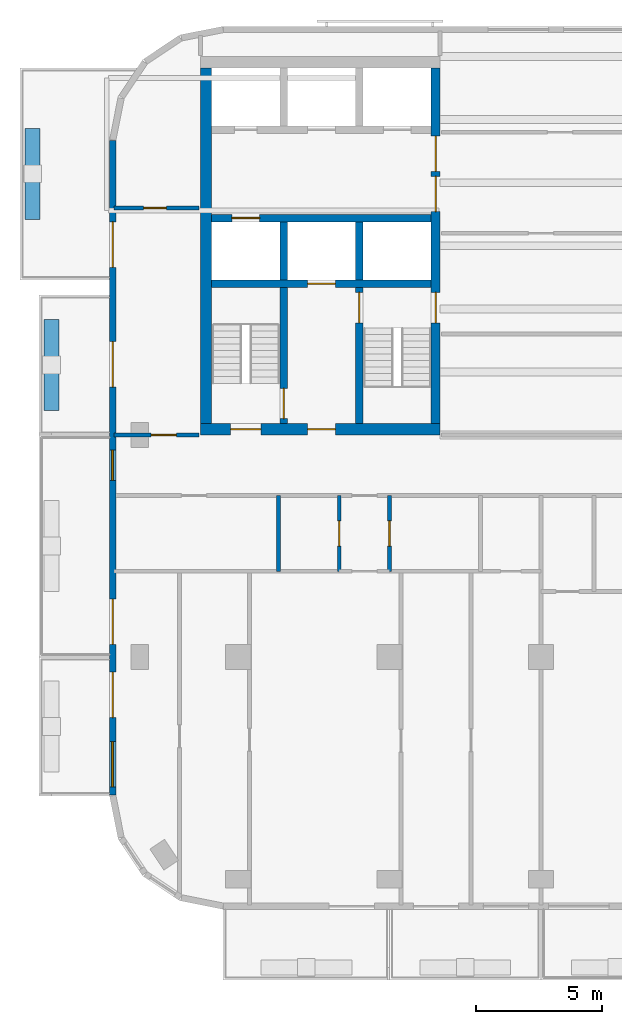
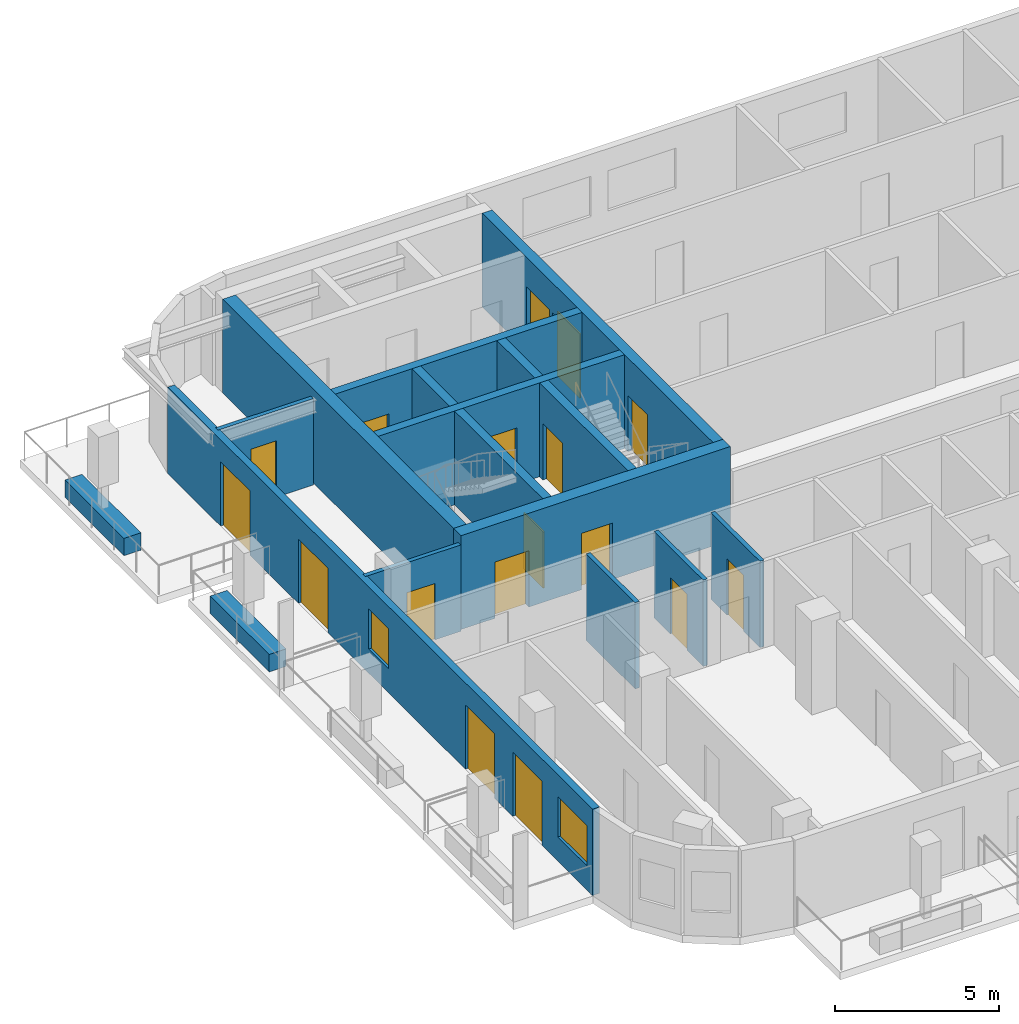
# One storey, part 3 of 11: 17 doors, 17 walls, 2 windows, 19 openings.
"""IFC4 building model written with IfcOpenShell, lengths in metres."""

from ifc_helpers import new_model, si_unit, direction, frame, frame_2d, origin, place, context, subcontext, project, spatial, rectangle, extrude, material, layer, layer_set, type_object, element, fill, save


model = new_model("IFC4")

# Units and contexts
model_context = context("Model", 3, precision=1e-05, world=origin(), true_north=direction((0.0, 1.0)))
body_context = subcontext(model_context, "Body", "Model", "MODEL_VIEW")
ifc_project = project(units=[si_unit("LENGTHUNIT", "METRE"), si_unit("AREAUNIT", "SQUARE_METRE"), si_unit("VOLUMEUNIT", "CUBIC_METRE"), si_unit("PLANEANGLEUNIT", "RADIAN"), si_unit("MASSUNIT", "GRAM", prefix="KILO")], contexts=[model_context])

# Site, building, storey
site_placement = place(None, origin())
site = spatial("IfcSite", under=ifc_project, at=site_placement, CompositionType="ELEMENT")
building_placement = place(site_placement, origin())
building = spatial("IfcBuilding", under=site, at=building_placement, Name="Torana Hotel and Residences", CompositionType="ELEMENT")
storey_placement = place(building_placement, frame((0.0, 0.0, 277.10009765625)))
storey = spatial("IfcBuildingStorey", under=building, at=storey_placement, Name="L73", CompositionType="ELEMENT", Elevation=277.10009765625)

# Wall, opening, door
ifc_material_1 = material(Name="Concrete C60/75", Category="concrete")
ifc_layer_1 = layer(ifc_material_1, 0.300048828125)
ifc_layer_set_1 = layer_set([ifc_layer_1], Name="CORE WALL 300 C60/75")
wall_type_1 = type_object("IfcWallType", Name="CORE WALL 300 C60/75", PredefinedType="SHEAR", material=ifc_layer_set_1)
wall_1_placement = place(storey_placement, frame((-19.050048828125, -6.39990234375, 0.0), z_axis=(0.0, 0.0, 1.0), x_axis=(1.0, 0.0, 0.0)))
wall_1 = element("IfcWall", 1, at=wall_1_placement, inside=storey, type_object=wall_type_1, Name="Core wall W row-S", PredefinedType="SHEAR", context=body_context, shape_type="SweptSolid", body=[
    extrude(rectangle(XDim=8.699951171875, YDim=0.300048828125, at=frame_2d((4.35009765625, 0.0))), origin(), (0.0, 0.0, 1.0), 3.5),
])
opening_1_placement = place(wall_1_placement, frame((0.800048828125, 0.0, 0.0)))
opening_1 = element("IfcOpeningElement", 2, at=opening_1_placement, cuts=wall_1, Name="Opening LD", PredefinedType="OPENING", context=body_context, shape_type="SweptSolid", body=[
    extrude(rectangle(XDim=1.10009765625, YDim=2.10009765625, at=frame_2d((0.550048828125, 1.050048828125))), frame((0.0, 0.159912109375, 0.0), z_axis=(0.0, -1.0, 0.0), x_axis=(1.0, 0.0, 0.0)), (0.0, 0.0, 1.0), 0.320068359375),
])
ifc_material_2 = material(Name="Stainless steel 316", Category="steel")
door_type_1 = type_object("IfcDoorType", Name="LIFT LANDING DOOR LD 1100x2100", OperationType="DOUBLE_DOOR_SLIDING", PredefinedType="USERDEFINED", material=ifc_material_2)
door_1_placement = place(opening_1_placement, origin())
door_1 = element("IfcDoor", 3, at=door_1_placement, inside=storey, type_object=door_type_1, Name="Lift landing door SV1 L73", ObjectType="LIFT LANDING DOOR", OperationType="DOUBLE_DOOR_SLIDING", OverallHeight=2.10009765625, OverallWidth=1.10009765625, PredefinedType="USERDEFINED", context=body_context, shape_type="SweptSolid", body=[
    extrude(rectangle(XDim=1.10009765625, YDim=2.10009765625, at=frame_2d((0.550048828125, 1.050048828125))), frame((0.0, 0.02490234375, 0.0), z_axis=(0.0, -1.0, 0.0), x_axis=(1.0, 0.0, 0.0)), (0.0, 0.0, 1.0), 0.050048828125),
])
fill(opening_1, door_1)

wall_2_placement = place(storey_placement, frame((-19.050048828125, -9.0, 0.0), z_axis=(0.0, 0.0, 1.0), x_axis=(1.0, 0.0, 0.0)))
wall_2 = element("IfcWall", 4, at=wall_2_placement, inside=storey, type_object=wall_type_1, Name="Core wall W band", PredefinedType="SHEAR", context=body_context, shape_type="SweptSolid", body=[
    extrude(rectangle(XDim=8.699951171875, YDim=0.300048828125, at=frame_2d((4.35009765625, 0.0))), origin(), (0.0, 0.0, 1.0), 3.5),
])
opening_2_placement = place(wall_2_placement, frame((3.800048828125, 0.0, 0.0)))
opening_2 = element("IfcOpeningElement", 5, at=opening_2_placement, cuts=wall_2, Name="Opening LD", PredefinedType="OPENING", context=body_context, shape_type="SweptSolid", body=[
    extrude(rectangle(XDim=1.10009765625, YDim=2.10009765625, at=frame_2d((0.550048828125, 1.050048828125))), frame((0.0, 0.159912109375, 0.0), z_axis=(0.0, -1.0, 0.0), x_axis=(1.0, 0.0, 0.0)), (0.0, 0.0, 1.0), 0.320068359375),
])
door_2_placement = place(opening_2_placement, origin())
door_2 = element("IfcDoor", 6, at=door_2_placement, inside=storey, type_object=door_type_1, Name="Lift landing door FF1 L73", ObjectType="LIFT LANDING DOOR", OperationType="DOUBLE_DOOR_SLIDING", OverallHeight=2.10009765625, OverallWidth=1.10009765625, PredefinedType="USERDEFINED", context=body_context, shape_type="SweptSolid", body=[
    extrude(rectangle(XDim=1.10009765625, YDim=2.10009765625, at=frame_2d((0.550048828125, 1.050048828125))), frame((0.0, 0.02490234375, 0.0), z_axis=(0.0, -1.0, 0.0), x_axis=(1.0, 0.0, 0.0)), (0.0, 0.0, 1.0), 0.050048828125),
])
fill(opening_2, door_2)

# Wall
wall_3_placement = place(storey_placement, frame((-13.199951171875, -8.85009765625, 0.0), z_axis=(0.0, 0.0, 1.0), x_axis=(0.0, 1.0, 0.0)))
element("IfcWall", 7, at=wall_3_placement, inside=storey, type_object=wall_type_1, Name="Core wall W x3.05-S", PredefinedType="SHEAR", context=body_context, shape_type="SweptSolid", body=[
    extrude(rectangle(XDim=2.300048828125, YDim=0.300048828125, at=frame_2d((1.14990234375, 0.0))), origin(), (0.0, 0.0, 1.0), 3.5),
])

# Wall, opening, door
wall_4_placement = place(storey_placement, frame((-13.199951171875, -14.550048828125, 0.0), z_axis=(0.0, 0.0, 1.0), x_axis=(0.0, 1.0, 0.0)))
wall_4 = element("IfcWall", 8, at=wall_4_placement, inside=storey, type_object=wall_type_1, Name="Core wall W x3.05-band", PredefinedType="SHEAR", context=body_context, shape_type="SweptSolid", body=[
    extrude(rectangle(XDim=5.400146484375, YDim=0.300048828125, at=frame_2d((2.7001953125, 0.0))), origin(), (0.0, 0.0, 1.0), 3.5),
])
opening_3_placement = place(wall_4_placement, frame((4.0, 0.0, 0.0)))
opening_3 = element("IfcOpeningElement", 9, at=opening_3_placement, cuts=wall_4, Name="Opening L73-07", PredefinedType="OPENING", context=body_context, shape_type="SweptSolid", body=[
    extrude(rectangle(XDim=1.199951171875, YDim=2.10009765625, at=frame_2d((0.60009765625, 1.050048828125))), frame((0.0, 0.159912109375, 0.0), z_axis=(0.0, -1.0, 0.0), x_axis=(1.0, 0.0, 0.0)), (0.0, 0.0, 1.0), 0.320068359375),
])
ifc_material_3 = material(Name="Steel S235", Category="steel")
door_type_2 = type_object("IfcDoorType", Name="STAIR FIRE DOOR D3 1200x2100", OperationType="SINGLE_SWING_LEFT", PredefinedType="DOOR", material=ifc_material_3)
door_3_placement = place(opening_3_placement, frame((0.60009765625, 0.0, 0.0), z_axis=(0.0, 0.0, 1.0), x_axis=(-1.0, 0.0, 0.0)))
door_3 = element("IfcDoor", 10, at=door_3_placement, inside=storey, type_object=door_type_2, Name="Stair-A-lobby door L73", OperationType="SINGLE_SWING_RIGHT", OverallHeight=2.10009765625, OverallWidth=1.199951171875, PredefinedType="DOOR", context=body_context, shape_type="SweptSolid", body=[
    extrude(rectangle(XDim=1.199951171875, YDim=2.10009765625, at=frame_2d((0.0, 1.050048828125))), frame((0.0, -0.02490234375, 0.0), z_axis=(0.0, 1.0, 0.0), x_axis=(-1.0, 0.0, 0.0)), (0.0, 0.0, 1.0), 0.050048828125),
])
fill(opening_3, door_3)

# Wall
wall_5_placement = place(storey_placement, frame((-16.199951171875, -8.85009765625, 0.0), z_axis=(0.0, 0.0, 1.0), x_axis=(0.0, 1.0, 0.0)))
element("IfcWall", 11, at=wall_5_placement, inside=storey, type_object=wall_type_1, Name="Core wall W x6.05-S", PredefinedType="SHEAR", context=body_context, shape_type="SweptSolid", body=[
    extrude(rectangle(XDim=2.300048828125, YDim=0.300048828125, at=frame_2d((1.14990234375, 0.0))), origin(), (0.0, 0.0, 1.0), 3.5),
])

# Wall, opening, door
wall_6_placement = place(storey_placement, frame((-16.199951171875, -14.550048828125, 0.0), z_axis=(0.0, 0.0, 1.0), x_axis=(0.0, 1.0, 0.0)))
wall_6 = element("IfcWall", 12, at=wall_6_placement, inside=storey, type_object=wall_type_1, Name="Core wall W x6.05-band", PredefinedType="SHEAR", context=body_context, shape_type="SweptSolid", body=[
    extrude(rectangle(XDim=5.400146484375, YDim=0.300048828125, at=frame_2d((2.7001953125, 0.0))), origin(), (0.0, 0.0, 1.0), 3.5),
])
opening_4_placement = place(wall_6_placement, frame((0.199951171875, 0.0, 0.0)))
opening_4 = element("IfcOpeningElement", 13, at=opening_4_placement, cuts=wall_6, Name="Opening L73-08", PredefinedType="OPENING", context=body_context, shape_type="SweptSolid", body=[
    extrude(rectangle(XDim=1.199951171875, YDim=2.10009765625, at=frame_2d((0.60009765625, 1.050048828125))), frame((0.0, 0.159912109375, 0.0), z_axis=(0.0, -1.0, 0.0), x_axis=(1.0, 0.0, 0.0)), (0.0, 0.0, 1.0), 0.320068359375),
])
door_4_placement = place(opening_4_placement, origin())
door_4 = element("IfcDoor", 14, at=door_4_placement, inside=storey, type_object=door_type_2, Name="Stair-B-lobby door L73", OperationType="SINGLE_SWING_RIGHT", OverallHeight=2.10009765625, OverallWidth=1.199951171875, PredefinedType="DOOR", context=body_context, shape_type="SweptSolid", body=[
    extrude(rectangle(XDim=1.199951171875, YDim=2.10009765625, at=frame_2d((0.60009765625, 1.050048828125))), frame((0.0, 0.02490234375, 0.0), z_axis=(0.0, -1.0, 0.0), x_axis=(1.0, 0.0, 0.0)), (0.0, 0.0, 1.0), 0.050048828125),
])
fill(opening_4, door_4)

# Wall, openings, doors
ifc_material_4 = material(Name="Concrete C60/75", Category="concrete")
ifc_layer_2 = layer(ifc_material_4, 0.35009765625)
ifc_layer_set_2 = layer_set([ifc_layer_2], Name="CORE WALL 350 C60/75")
wall_type_2 = type_object("IfcWallType", Name="CORE WALL 350 C60/75", PredefinedType="SHEAR", material=ifc_layer_set_2)
wall_7_placement = place(storey_placement, frame((-10.175048828125, -14.550048828125, 0.0), z_axis=(0.0, 0.0, 1.0), x_axis=(0.0, 1.0, 0.0)))
wall_7 = element("IfcWall", 15, at=wall_7_placement, inside=storey, type_object=wall_type_2, Name="Core wall W arch", PredefinedType="SHEAR", context=body_context, shape_type="SweptSolid", body=[
    extrude(rectangle(XDim=14.10009765625, YDim=0.35009765625, at=frame_2d((7.050048828125, 0.0))), origin(), (0.0, 0.0, 1.0), 3.5),
])
opening_5_placement = place(wall_7_placement, frame((8.39990234375, 0.0, 0.0)))
opening_5 = element("IfcOpeningElement", 16, at=opening_5_placement, cuts=wall_7, Name="Opening L73-01", PredefinedType="OPENING", context=body_context, shape_type="SweptSolid", body=[
    extrude(rectangle(XDim=1.39990234375, YDim=2.39990234375, at=frame_2d((0.699951171875, 1.199951171875))), frame((0.0, 0.18505859375, 0.0), z_axis=(0.0, -1.0, 0.0), x_axis=(1.0, 0.0, 0.0)), (0.0, 0.0, 1.0), 0.3701171875),
])
opening_6_placement = place(wall_7_placement, frame((10.0, 0.0, 0.0)))
opening_6 = element("IfcOpeningElement", 17, at=opening_6_placement, cuts=wall_7, Name="Opening L73-02", PredefinedType="OPENING", context=body_context, shape_type="SweptSolid", body=[
    extrude(rectangle(XDim=1.39990234375, YDim=2.39990234375, at=frame_2d((0.699951171875, 1.199951171875))), frame((0.0, 0.18505859375, 0.0), z_axis=(0.0, -1.0, 0.0), x_axis=(1.0, 0.0, 0.0)), (0.0, 0.0, 1.0), 0.3701171875),
])
opening_7_placement = place(wall_7_placement, frame((4.0, 0.0, 0.0)))
opening_7 = element("IfcOpeningElement", 18, at=opening_7_placement, cuts=wall_7, Name="Opening L73-03", PredefinedType="OPENING", context=body_context, shape_type="SweptSolid", body=[
    extrude(rectangle(XDim=1.199951171875, YDim=2.10009765625, at=frame_2d((0.60009765625, 1.050048828125))), frame((0.0, 0.18505859375, 0.0), z_axis=(0.0, -1.0, 0.0), x_axis=(1.0, 0.0, 0.0)), (0.0, 0.0, 1.0), 0.3701171875),
])
ifc_material_5 = material(Name="Steel S235", Category="steel")
door_type_3 = type_object("IfcDoorType", Name="LOBBY FIRE DOOR D4 1400x2400", OperationType="DOUBLE_DOOR_SINGLE_SWING", PredefinedType="DOOR", material=ifc_material_5)
door_5_placement = place(opening_5_placement, origin())
door_5 = element("IfcDoor", 19, at=door_5_placement, inside=storey, type_object=door_type_3, Name="Lobby-1 door L73", OperationType="DOUBLE_DOOR_SINGLE_SWING", OverallHeight=2.39990234375, OverallWidth=1.39990234375, PredefinedType="DOOR", context=body_context, shape_type="SweptSolid", body=[
    extrude(rectangle(XDim=1.39990234375, YDim=2.39990234375, at=frame_2d((0.699951171875, 1.199951171875))), frame((0.0, 0.02490234375, 0.0), z_axis=(0.0, -1.0, 0.0), x_axis=(1.0, 0.0, 0.0)), (0.0, 0.0, 1.0), 0.050048828125),
])
fill(opening_5, door_5)
door_6_placement = place(opening_6_placement, origin())
door_6 = element("IfcDoor", 20, at=door_6_placement, inside=storey, type_object=door_type_3, Name="Lobby-2 door L73", OperationType="DOUBLE_DOOR_SINGLE_SWING", OverallHeight=2.39990234375, OverallWidth=1.39990234375, PredefinedType="DOOR", context=body_context, shape_type="SweptSolid", body=[
    extrude(rectangle(XDim=1.39990234375, YDim=2.39990234375, at=frame_2d((0.699951171875, 1.199951171875))), frame((0.0, 0.02490234375, 0.0), z_axis=(0.0, -1.0, 0.0), x_axis=(1.0, 0.0, 0.0)), (0.0, 0.0, 1.0), 0.050048828125),
])
fill(opening_6, door_6)
door_7_placement = place(opening_7_placement, origin())
door_7 = element("IfcDoor", 21, at=door_7_placement, inside=storey, type_object=door_type_2, Name="Stair-A door L73", OperationType="SINGLE_SWING_LEFT", OverallHeight=2.10009765625, OverallWidth=1.199951171875, PredefinedType="DOOR", context=body_context, shape_type="SweptSolid", body=[
    extrude(rectangle(XDim=1.199951171875, YDim=2.10009765625, at=frame_2d((0.60009765625, 1.050048828125))), frame((0.0, 0.02490234375, 0.0), z_axis=(0.0, -1.0, 0.0), x_axis=(1.0, 0.0, 0.0)), (0.0, 0.0, 1.0), 0.050048828125),
])
fill(opening_7, door_7)

ifc_material_6 = material(Name="Concrete C60/75", Category="concrete")
ifc_layer_3 = layer(ifc_material_6, 0.449951171875)
ifc_layer_set_3 = layer_set([ifc_layer_3], Name="CORE WALL 450 C60/75")
wall_type_3 = type_object("IfcWallType", Name="CORE WALL 450 C60/75", PredefinedType="SHEAR", material=ifc_layer_set_3)
wall_8_placement = place(storey_placement, frame((-19.5, -14.77490234375, 0.0), z_axis=(0.0, 0.0, 1.0), x_axis=(1.0, 0.0, 0.0)))
wall_8 = element("IfcWall", 22, at=wall_8_placement, inside=storey, type_object=wall_type_3, Name="Core wall W front", PredefinedType="SHEAR", context=body_context, shape_type="SweptSolid", body=[
    extrude(rectangle(XDim=9.5, YDim=0.449951171875, at=frame_2d((4.75, 0.0))), origin(), (0.0, 0.0, 1.0), 3.5),
])
opening_8_placement = place(wall_8_placement, frame((1.199951171875, 0.0, 0.0)))
opening_8 = element("IfcOpeningElement", 23, at=opening_8_placement, cuts=wall_8, Name="Opening L73-04", PredefinedType="OPENING", context=body_context, shape_type="SweptSolid", body=[
    extrude(rectangle(XDim=1.199951171875, YDim=2.10009765625, at=frame_2d((0.60009765625, 1.050048828125))), frame((0.0, 0.23486328125, 0.0), z_axis=(0.0, -1.0, 0.0), x_axis=(1.0, 0.0, 0.0)), (0.0, 0.0, 1.0), 0.469970703125),
])
opening_9_placement = place(wall_8_placement, frame((4.25, 0.0, 0.0)))
opening_9 = element("IfcOpeningElement", 24, at=opening_9_placement, cuts=wall_8, Name="Opening L73-05", PredefinedType="OPENING", context=body_context, shape_type="SweptSolid", body=[
    extrude(rectangle(XDim=1.10009765625, YDim=2.10009765625, at=frame_2d((0.550048828125, 1.050048828125))), frame((0.0, 0.23486328125, 0.0), z_axis=(0.0, -1.0, 0.0), x_axis=(1.0, 0.0, 0.0)), (0.0, 0.0, 1.0), 0.469970703125),
])
ifc_material_7 = material(Name="Steel S235", Category="steel")
door_type_4 = type_object("IfcDoorType", Name="FIRE-FIGHTING LOBBY DOOR D8 1100x2100", OperationType="SINGLE_SWING_LEFT", PredefinedType="DOOR", material=ifc_material_7)
door_8_placement = place(opening_9_placement, origin())
door_8 = element("IfcDoor", 25, at=door_8_placement, inside=storey, type_object=door_type_4, Name="FF-lobby door L73", OperationType="SINGLE_SWING_RIGHT", OverallHeight=2.10009765625, OverallWidth=1.10009765625, PredefinedType="DOOR", context=body_context, shape_type="SweptSolid", body=[
    extrude(rectangle(XDim=1.10009765625, YDim=2.10009765625, at=frame_2d((0.550048828125, 1.050048828125))), frame((0.0, 0.02490234375, 0.0), z_axis=(0.0, -1.0, 0.0), x_axis=(1.0, 0.0, 0.0)), (0.0, 0.0, 1.0), 0.050048828125),
])
fill(opening_9, door_8)
door_9_placement = place(opening_8_placement, origin())
door_9 = element("IfcDoor", 26, at=door_9_placement, inside=storey, type_object=door_type_2, Name="Stair-B door L73", OperationType="SINGLE_SWING_RIGHT", OverallHeight=2.10009765625, OverallWidth=1.199951171875, PredefinedType="DOOR", context=body_context, shape_type="SweptSolid", body=[
    extrude(rectangle(XDim=1.199951171875, YDim=2.10009765625, at=frame_2d((0.60009765625, 1.050048828125))), frame((0.0, 0.02490234375, 0.0), z_axis=(0.0, -1.0, 0.0), x_axis=(1.0, 0.0, 0.0)), (0.0, 0.0, 1.0), 0.050048828125),
])
fill(opening_8, door_9)

# Wall
wall_9_placement = place(storey_placement, frame((-19.27490234375, -14.550048828125, 0.0), z_axis=(0.0, 0.0, 1.0), x_axis=(0.0, 1.0, 0.0)))
element("IfcWall", 27, at=wall_9_placement, inside=storey, type_object=wall_type_3, Name="Core wall W outer", PredefinedType="SHEAR", context=body_context, shape_type="SweptSolid", body=[
    extrude(rectangle(XDim=14.10009765625, YDim=0.449951171875, at=frame_2d((7.050048828125, 0.0))), origin(), (0.0, 0.0, 1.0), 3.5),
])

# Wall, openings, doors, windows
ifc_material_8 = material(Name="Black aluminium composite panel", Category="aluminium")
ifc_layer_4 = layer(ifc_material_8, 0.00390625, Name="Cladding", Category="cladding")
ifc_material_9 = material(Name="Ventilated air cavity")
ifc_layer_5 = layer(ifc_material_9, 0.0400390625, Name="Ventilated cavity", Category="cavity")
ifc_material_10 = material(Name="Mineral wool insulation")
ifc_layer_6 = layer(ifc_material_10, 0.090087890625, Name="Insulation", Category="insulation")
ifc_material_11 = material(Name="Steel S280GD", Category="steel")
ifc_layer_7 = layer(ifc_material_11, 0.092041015625, Name="Steel stud frame", Category="structure")
ifc_material_12 = material(Name="Fire rated plasterboard")
ifc_layer_8 = layer(ifc_material_12, 0.011962890625, Name="Inner board", Category="finish")
ifc_layer_9 = layer(ifc_material_12, 0.011962890625, Name="Second board", Category="finish")
ifc_layer_set_4 = layer_set([ifc_layer_4, ifc_layer_5, ifc_layer_6, ifc_layer_7, ifc_layer_8, ifc_layer_9], Name="EW1 EXTERNAL WALL BLACK METAL CLAD 250")
wall_type_4 = type_object("IfcWallType", Name="EW1 EXTERNAL WALL BLACK METAL CLAD 250", PredefinedType="SOLIDWALL", material=ifc_layer_set_4)
wall_10_placement = place(storey_placement, frame((-22.97509765625, -3.32470703125, 0.0), z_axis=(0.0, 0.0, 1.0), x_axis=(0.0, -1.0, 0.0)))
wall_10 = element("IfcWall", 28, at=wall_10_placement, inside=storey, type_object=wall_type_4, Name="External wall L73 e0.9", PredefinedType="SOLIDWALL", context=body_context, shape_type="SweptSolid", body=[
    extrude(rectangle(XDim=25.95068359375, YDim=0.25, at=frame_2d((12.975341796875, 0.0))), origin(), (0.0, 0.0, 1.0), 3.219970703125),
])
opening_10_placement = place(wall_10_placement, frame((3.225341796875, 0.0, 0.0)))
opening_10 = element("IfcOpeningElement", 29, at=opening_10_placement, cuts=wall_10, Name="Opening L73-E11", PredefinedType="OPENING", context=body_context, shape_type="SweptSolid", body=[
    extrude(rectangle(XDim=1.800048828125, YDim=2.39990234375, at=frame_2d((0.89990234375, 1.199951171875))), frame((0.0, 0.135009765625, 0.0), z_axis=(0.0, -1.0, 0.0), x_axis=(1.0, 0.0, 0.0)), (0.0, 0.0, 1.0), 0.27001953125),
])
opening_11_placement = place(wall_10_placement, frame((7.975341796875, 0.0, 0.0)))
opening_11 = element("IfcOpeningElement", 30, at=opening_11_placement, cuts=wall_10, Name="Opening L73-E12", PredefinedType="OPENING", context=body_context, shape_type="SweptSolid", body=[
    extrude(rectangle(XDim=1.800048828125, YDim=2.39990234375, at=frame_2d((0.89990234375, 1.199951171875))), frame((0.0, 0.135009765625, 0.0), z_axis=(0.0, -1.0, 0.0), x_axis=(1.0, 0.0, 0.0)), (0.0, 0.0, 1.0), 0.27001953125),
])
opening_12_placement = place(wall_10_placement, frame((12.275390625, 0.0, 0.89990234375)))
opening_12 = element("IfcOpeningElement", 31, at=opening_12_placement, cuts=wall_10, Name="Opening W5", PredefinedType="OPENING", context=body_context, shape_type="SweptSolid", body=[
    extrude(rectangle(XDim=1.199951171875, YDim=1.5, at=frame_2d((0.60009765625, 0.75))), frame((0.0, 0.135009765625, 0.0), z_axis=(0.0, -1.0, 0.0), x_axis=(1.0, 0.0, 0.0)), (0.0, 0.0, 1.0), 0.27001953125),
])
opening_13_placement = place(wall_10_placement, frame((18.17529296875, 0.0, 0.0)))
opening_13 = element("IfcOpeningElement", 32, at=opening_13_placement, cuts=wall_10, Name="Opening L73-E13", PredefinedType="OPENING", context=body_context, shape_type="SweptSolid", body=[
    extrude(rectangle(XDim=1.800048828125, YDim=2.39990234375, at=frame_2d((0.89990234375, 1.199951171875))), frame((0.0, 0.135009765625, 0.0), z_axis=(0.0, -1.0, 0.0), x_axis=(1.0, 0.0, 0.0)), (0.0, 0.0, 1.0), 0.27001953125),
])
opening_14_placement = place(wall_10_placement, frame((21.075439453125, 0.0, 0.0)))
opening_14 = element("IfcOpeningElement", 33, at=opening_14_placement, cuts=wall_10, Name="Opening L73-E14", PredefinedType="OPENING", context=body_context, shape_type="SweptSolid", body=[
    extrude(rectangle(XDim=1.800048828125, YDim=2.39990234375, at=frame_2d((0.89990234375, 1.199951171875))), frame((0.0, 0.135009765625, 0.0), z_axis=(0.0, -1.0, 0.0), x_axis=(1.0, 0.0, 0.0)), (0.0, 0.0, 1.0), 0.27001953125),
])
opening_15_placement = place(wall_10_placement, frame((23.825439453125, 0.0, 0.89990234375)))
opening_15 = element("IfcOpeningElement", 34, at=opening_15_placement, cuts=wall_10, Name="Opening W4", PredefinedType="OPENING", context=body_context, shape_type="SweptSolid", body=[
    extrude(rectangle(XDim=1.800048828125, YDim=1.5, at=frame_2d((0.89990234375, 0.75))), frame((0.0, 0.135009765625, 0.0), z_axis=(0.0, -1.0, 0.0), x_axis=(1.0, 0.0, 0.0)), (0.0, 0.0, 1.0), 0.27001953125),
])
ifc_material_13 = material(Name="Dark glass in black aluminium frame", Category="aluminium")
door_type_5 = type_object("IfcDoorType", Name="DB1 BALCONY DOOR 1800x2400", OperationType="DOUBLE_DOOR_SINGLE_SWING", PredefinedType="DOOR", material=ifc_material_13)
door_10_placement = place(opening_10_placement, origin())
door_10 = element("IfcDoor", 35, at=door_10_placement, inside=storey, type_object=door_type_5, Name="Balcony door L73", OperationType="DOUBLE_DOOR_SINGLE_SWING", OverallHeight=2.39990234375, OverallWidth=1.800048828125, PredefinedType="DOOR", context=body_context, shape_type="SweptSolid", body=[
    extrude(rectangle(XDim=1.800048828125, YDim=2.39990234375, at=frame_2d((0.89990234375, 1.199951171875))), frame((0.0, 0.02490234375, 0.0), z_axis=(0.0, -1.0, 0.0), x_axis=(1.0, 0.0, 0.0)), (0.0, 0.0, 1.0), 0.050048828125),
])
fill(opening_10, door_10)
door_11_placement = place(opening_11_placement, origin())
door_11 = element("IfcDoor", 36, at=door_11_placement, inside=storey, type_object=door_type_5, Name="Balcony door L73", OperationType="DOUBLE_DOOR_SINGLE_SWING", OverallHeight=2.39990234375, OverallWidth=1.800048828125, PredefinedType="DOOR", context=body_context, shape_type="SweptSolid", body=[
    extrude(rectangle(XDim=1.800048828125, YDim=2.39990234375, at=frame_2d((0.89990234375, 1.199951171875))), frame((0.0, 0.02490234375, 0.0), z_axis=(0.0, -1.0, 0.0), x_axis=(1.0, 0.0, 0.0)), (0.0, 0.0, 1.0), 0.050048828125),
])
fill(opening_11, door_11)
door_12_placement = place(opening_13_placement, origin())
door_12 = element("IfcDoor", 37, at=door_12_placement, inside=storey, type_object=door_type_5, Name="Balcony door L73", OperationType="DOUBLE_DOOR_SINGLE_SWING", OverallHeight=2.39990234375, OverallWidth=1.800048828125, PredefinedType="DOOR", context=body_context, shape_type="SweptSolid", body=[
    extrude(rectangle(XDim=1.800048828125, YDim=2.39990234375, at=frame_2d((0.89990234375, 1.199951171875))), frame((0.0, 0.02490234375, 0.0), z_axis=(0.0, -1.0, 0.0), x_axis=(1.0, 0.0, 0.0)), (0.0, 0.0, 1.0), 0.050048828125),
])
fill(opening_13, door_12)
door_13_placement = place(opening_14_placement, origin())
door_13 = element("IfcDoor", 38, at=door_13_placement, inside=storey, type_object=door_type_5, Name="Balcony door L73", OperationType="DOUBLE_DOOR_SINGLE_SWING", OverallHeight=2.39990234375, OverallWidth=1.800048828125, PredefinedType="DOOR", context=body_context, shape_type="SweptSolid", body=[
    extrude(rectangle(XDim=1.800048828125, YDim=2.39990234375, at=frame_2d((0.89990234375, 1.199951171875))), frame((0.0, 0.02490234375, 0.0), z_axis=(0.0, -1.0, 0.0), x_axis=(1.0, 0.0, 0.0)), (0.0, 0.0, 1.0), 0.050048828125),
])
fill(opening_14, door_13)
ifc_material_14 = material(Name="Dark glass in black aluminium frame", Category="aluminium")
window_type_1 = type_object("IfcWindowType", Name="W4 RESIDENCE WINDOW NARROW 1800x1500", PartitioningType="SINGLE_PANEL", PredefinedType="WINDOW", material=ifc_material_14)
window_1_placement = place(opening_15_placement, origin())
window_1 = element("IfcWindow", 39, at=window_1_placement, inside=storey, type_object=window_type_1, Name="Window L73", OverallHeight=1.5, OverallWidth=1.800048828125, PartitioningType="SINGLE_PANEL", PredefinedType="WINDOW", context=body_context, shape_type="SweptSolid", body=[
    extrude(rectangle(XDim=1.800048828125, YDim=1.5, at=frame_2d((0.89990234375, 0.75))), frame((0.0, 0.030029296875, 0.0), z_axis=(0.0, -1.0, 0.0), x_axis=(1.0, 0.0, 0.0)), (0.0, 0.0, 1.0), 0.06005859375),
])
fill(opening_15, window_1)
ifc_material_15 = material(Name="Dark glass in black aluminium frame", Category="aluminium")
window_type_2 = type_object("IfcWindowType", Name="W5 CORNER FACET WINDOW 1200x1500", PartitioningType="SINGLE_PANEL", PredefinedType="WINDOW", material=ifc_material_15)
window_2_placement = place(opening_12_placement, origin())
window_2 = element("IfcWindow", 40, at=window_2_placement, inside=storey, type_object=window_type_2, Name="Window L73", OverallHeight=1.5, OverallWidth=1.199951171875, PartitioningType="SINGLE_PANEL", PredefinedType="WINDOW", context=body_context, shape_type="SweptSolid", body=[
    extrude(rectangle(XDim=1.199951171875, YDim=1.5, at=frame_2d((0.60009765625, 0.75))), frame((0.0, 0.030029296875, 0.0), z_axis=(0.0, -1.0, 0.0), x_axis=(1.0, 0.0, 0.0)), (0.0, 0.0, 1.0), 0.06005859375),
])
fill(opening_12, window_2)

# Wall, opening, door
ifc_material_16 = material(Name="Gypsum plaster")
ifc_layer_10 = layer(ifc_material_16, 0.014892578125, Name="Plaster", Category="finish")
ifc_material_17 = material(Name="Concrete blockwork", Category="masonry")
ifc_layer_11 = layer(ifc_material_17, 0.1201171875, Name="Blockwork", Category="structure")
ifc_layer_12 = layer(ifc_material_16, 0.014892578125, Name="Plaster", Category="finish")
ifc_layer_set_5 = layer_set([ifc_layer_10, ifc_layer_11, ifc_layer_12], Name="FIRE PARTITION 150 BLOCKWORK")
wall_type_5 = type_object("IfcWallType", Name="FIRE PARTITION 150 BLOCKWORK", PredefinedType="PARTITIONING", material=ifc_layer_set_5)
wall_11_placement = place(storey_placement, frame((-12.0, -20.39990234375, 0.0), z_axis=(0.0, 0.0, 1.0), x_axis=(0.0, 1.0, 0.0)))
wall_11 = element("IfcWall", 41, at=wall_11_placement, inside=storey, type_object=wall_type_5, Name="Partition L73", PredefinedType="PARTITIONING", context=body_context, shape_type="SweptSolid", body=[
    extrude(rectangle(XDim=3.0, YDim=0.14990234375, at=frame_2d((1.5, 0.0))), origin(), (0.0, 0.0, 1.0), 3.219970703125),
])
opening_16_placement = place(wall_11_placement, frame((1.0, 0.0, 0.0)))
opening_16 = element("IfcOpeningElement", 42, at=opening_16_placement, cuts=wall_11, Name="Opening L73-44", PredefinedType="OPENING", context=body_context, shape_type="SweptSolid", body=[
    extrude(rectangle(XDim=1.0, YDim=2.10009765625, at=frame_2d((0.5, 1.050048828125))), frame((0.0, 0.0849609375, 0.0), z_axis=(0.0, -1.0, 0.0), x_axis=(1.0, 0.0, 0.0)), (0.0, 0.0, 1.0), 0.169921875),
])
ifc_material_18 = material(Name="Steel S235", Category="steel")
door_type_6 = type_object("IfcDoorType", Name="ENTRY FIRE DOOR D6 1000x2100", OperationType="SINGLE_SWING_LEFT", PredefinedType="DOOR", material=ifc_material_18)
door_14_placement = place(opening_16_placement, frame((0.5, 0.0, 0.0), z_axis=(0.0, 0.0, 1.0), x_axis=(-1.0, 0.0, 0.0)))
door_14 = element("IfcDoor", 43, at=door_14_placement, inside=storey, type_object=door_type_6, Name="Door L73", OperationType="SINGLE_SWING_LEFT", OverallHeight=2.10009765625, OverallWidth=1.0, PredefinedType="DOOR", context=body_context, shape_type="SweptSolid", body=[
    extrude(rectangle(XDim=1.0, YDim=2.10009765625, at=frame_2d((0.0, 1.050048828125))), frame((0.0, -0.02490234375, 0.0), z_axis=(0.0, 1.0, 0.0), x_axis=(-1.0, 0.0, 0.0)), (0.0, 0.0, 1.0), 0.050048828125),
])
fill(opening_16, door_14)

wall_12_placement = place(storey_placement, frame((-14.0, -20.39990234375, 0.0), z_axis=(0.0, 0.0, 1.0), x_axis=(0.0, 1.0, 0.0)))
wall_12 = element("IfcWall", 44, at=wall_12_placement, inside=storey, type_object=wall_type_5, Name="Partition L73", PredefinedType="PARTITIONING", context=body_context, shape_type="SweptSolid", body=[
    extrude(rectangle(XDim=3.0, YDim=0.14990234375, at=frame_2d((1.5, 0.0))), origin(), (0.0, 0.0, 1.0), 3.219970703125),
])
opening_17_placement = place(wall_12_placement, frame((1.0, 0.0, 0.0)))
opening_17 = element("IfcOpeningElement", 45, at=opening_17_placement, cuts=wall_12, Name="Opening L73-45", PredefinedType="OPENING", context=body_context, shape_type="SweptSolid", body=[
    extrude(rectangle(XDim=1.0, YDim=2.10009765625, at=frame_2d((0.5, 1.050048828125))), frame((0.0, 0.0849609375, 0.0), z_axis=(0.0, -1.0, 0.0), x_axis=(1.0, 0.0, 0.0)), (0.0, 0.0, 1.0), 0.169921875),
])
door_15_placement = place(opening_17_placement, origin())
door_15 = element("IfcDoor", 46, at=door_15_placement, inside=storey, type_object=door_type_6, Name="Door L73", OperationType="SINGLE_SWING_RIGHT", OverallHeight=2.10009765625, OverallWidth=1.0, PredefinedType="DOOR", context=body_context, shape_type="SweptSolid", body=[
    extrude(rectangle(XDim=1.0, YDim=2.10009765625, at=frame_2d((0.5, 1.050048828125))), frame((0.0, 0.02490234375, 0.0), z_axis=(0.0, -1.0, 0.0), x_axis=(1.0, 0.0, 0.0)), (0.0, 0.0, 1.0), 0.050048828125),
])
fill(opening_17, door_15)

wall_13_placement = place(storey_placement, frame((-22.919921875, -15.0, 0.0), z_axis=(0.0, 0.0, 1.0), x_axis=(1.0, 0.0, 0.0)))
wall_13 = element("IfcWall", 47, at=wall_13_placement, inside=storey, type_object=wall_type_5, Name="Partition L73", PredefinedType="PARTITIONING", context=body_context, shape_type="SweptSolid", body=[
    extrude(rectangle(XDim=3.369873046875, YDim=0.14990234375, at=frame_2d((1.68505859375, 0.0))), origin(), (0.0, 0.0, 1.0), 3.219970703125),
])
opening_18_placement = place(wall_13_placement, frame((1.469970703125, 0.0, 0.0)))
opening_18 = element("IfcOpeningElement", 48, at=opening_18_placement, cuts=wall_13, Name="Opening L73-26", PredefinedType="OPENING", context=body_context, shape_type="SweptSolid", body=[
    extrude(rectangle(XDim=1.0, YDim=2.10009765625, at=frame_2d((0.5, 1.050048828125))), frame((0.0, 0.0849609375, 0.0), z_axis=(0.0, -1.0, 0.0), x_axis=(1.0, 0.0, 0.0)), (0.0, 0.0, 1.0), 0.169921875),
])
ifc_material_19 = material(Name="Steel S235", Category="steel")
door_type_7 = type_object("IfcDoorType", Name="CORE ROOM FIRE DOOR D14 1000x2100", OperationType="SINGLE_SWING_LEFT", PredefinedType="DOOR", material=ifc_material_19)
door_16_placement = place(opening_18_placement, origin())
door_16 = element("IfcDoor", 49, at=door_16_placement, inside=storey, type_object=door_type_7, Name="Door L73", OperationType="SINGLE_SWING_RIGHT", OverallHeight=2.10009765625, OverallWidth=1.0, PredefinedType="DOOR", context=body_context, shape_type="SweptSolid", body=[
    extrude(rectangle(XDim=1.0, YDim=2.10009765625, at=frame_2d((0.5, 1.050048828125))), frame((0.0, 0.02490234375, 0.0), z_axis=(0.0, -1.0, 0.0), x_axis=(1.0, 0.0, 0.0)), (0.0, 0.0, 1.0), 0.050048828125),
])
fill(opening_18, door_16)

# Wall
ifc_material_20 = material(Name="Gypsum plasterboard")
ifc_layer_13 = layer(ifc_material_20, 0.012451171875, Name="Plasterboard", Category="finish")
ifc_layer_14 = layer(ifc_material_20, 0.012451171875, Name="Plasterboard", Category="finish")
ifc_layer_15 = layer(ifc_material_11, 0.10009765625, Name="Steel studs with mineral wool", Category="insulation")
ifc_layer_16 = layer(ifc_material_20, 0.012451171875, Name="Plasterboard", Category="finish")
ifc_layer_17 = layer(ifc_material_20, 0.012451171875, Name="Plasterboard", Category="finish")
ifc_layer_set_6 = layer_set([ifc_layer_13, ifc_layer_14, ifc_layer_15, ifc_layer_16, ifc_layer_17], Name="PARTITION 150 PLASTERBOARD")
wall_type_6 = type_object("IfcWallType", Name="PARTITION 150 PLASTERBOARD", PredefinedType="PARTITIONING", material=ifc_layer_set_6)
wall_14_placement = place(storey_placement, frame((-16.39990234375, -20.39990234375, 0.0), z_axis=(0.0, 0.0, 1.0), x_axis=(0.0, 1.0, 0.0)))
element("IfcWall", 50, at=wall_14_placement, inside=storey, type_object=wall_type_6, Name="Partition L73", PredefinedType="PARTITIONING", context=body_context, shape_type="SweptSolid", body=[
    extrude(rectangle(XDim=3.0, YDim=0.14990234375, at=frame_2d((1.5, 0.0))), origin(), (0.0, 0.0, 1.0), 3.219970703125),
])

# Wall, opening, door
wall_15_placement = place(storey_placement, frame((-22.919921875, -6.0, 0.0), z_axis=(0.0, 0.0, 1.0), x_axis=(1.0, 0.0, 0.0)))
wall_15 = element("IfcWall", 51, at=wall_15_placement, inside=storey, type_object=wall_type_6, Name="Partition L73", PredefinedType="PARTITIONING", context=body_context, shape_type="SweptSolid", body=[
    extrude(rectangle(XDim=3.369873046875, YDim=0.14990234375, at=frame_2d((1.68505859375, 0.0))), origin(), (0.0, 0.0, 1.0), 3.219970703125),
])
opening_19_placement = place(wall_15_placement, frame((1.169921875, 0.0, 0.0)))
opening_19 = element("IfcOpeningElement", 52, at=opening_19_placement, cuts=wall_15, Name="Opening L73-57", PredefinedType="OPENING", context=body_context, shape_type="SweptSolid", body=[
    extrude(rectangle(XDim=0.89990234375, YDim=2.10009765625, at=frame_2d((0.449951171875, 1.050048828125))), frame((0.0, 0.0849609375, 0.0), z_axis=(0.0, -1.0, 0.0), x_axis=(1.0, 0.0, 0.0)), (0.0, 0.0, 1.0), 0.169921875),
])
ifc_material_21 = material(Name="Timber door, oiled ash", Category="wood")
door_type_8 = type_object("IfcDoorType", Name="ROOM DOOR D7 900x2100", OperationType="SINGLE_SWING_LEFT", PredefinedType="DOOR", material=ifc_material_21)
door_17_placement = place(opening_19_placement, origin())
door_17 = element("IfcDoor", 53, at=door_17_placement, inside=storey, type_object=door_type_8, Name="Door L73", OperationType="SINGLE_SWING_RIGHT", OverallHeight=2.10009765625, OverallWidth=0.89990234375, PredefinedType="DOOR", context=body_context, shape_type="SweptSolid", body=[
    extrude(rectangle(XDim=0.89990234375, YDim=2.10009765625, at=frame_2d((0.449951171875, 1.050048828125))), frame((0.0, 0.02490234375, 0.0), z_axis=(0.0, -1.0, 0.0), x_axis=(1.0, 0.0, 0.0)), (0.0, 0.0, 1.0), 0.050048828125),
])
fill(opening_19, door_17)

# Walls
ifc_material_22 = material(Name="Concrete C40/50 precast", Category="concrete")
ifc_layer_18 = layer(ifc_material_22, 0.10009765625, Name="Planter shell", Category="structure")
ifc_material_23 = material(Name="Root resistant membrane")
ifc_layer_19 = layer(ifc_material_23, 0.00390625, Name="Waterproofing membrane", Category="membrane")
ifc_material_24 = material(Name="Drainage board with filter fleece")
ifc_layer_20 = layer(ifc_material_24, 0.02001953125, Name="Drainage board", Category="drainage")
ifc_material_25 = material(Name="Growing medium")
ifc_layer_21 = layer(ifc_material_25, 0.47607421875, Name="Planting substrate", Category="soil")
ifc_layer_set_7 = layer_set([ifc_layer_18, ifc_layer_19, ifc_layer_20, ifc_layer_21], Name="PL1 BALCONY PLANTER 600")
wall_type_7 = type_object("IfcWallType", Name="PL1 BALCONY PLANTER 600", PredefinedType="USERDEFINED", material=ifc_layer_set_7)
for number, where, z_axis, x_axis, name in (
    (54, (-25.39990234375, -14.02490234375, 0.0), (0.0, 0.0, 1.0), (0.0, 1.0, 0.0), "Planter 09"),
    (55, (-26.14990234375, -6.449951171875, 0.0), (0.0, 0.0, 1.0), (0.0, 1.0, 0.0), "Planter 10"),
):
    element("IfcWall", number, at=place(storey_placement, frame(where, z_axis=z_axis, x_axis=x_axis)), inside=storey, type_object=wall_type_7, Name=name, ObjectType="PLANTER", PredefinedType="USERDEFINED", context=body_context, shape_type="SweptSolid", body=[
        extrude(rectangle(XDim=3.599853515625, YDim=0.60009765625, at=frame_2d((1.7998046875, 0.0))), origin(), (0.0, 0.0, 1.0), 0.64990234375),
    ])

save(model, "model.ifc")
